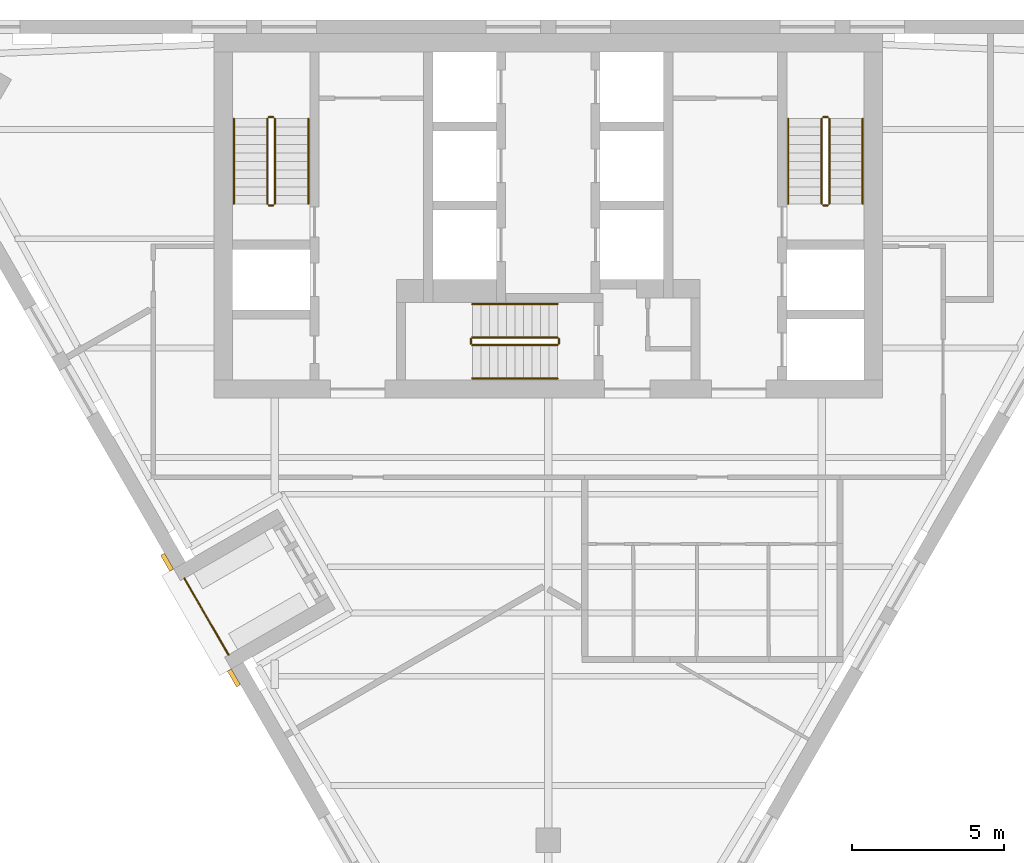
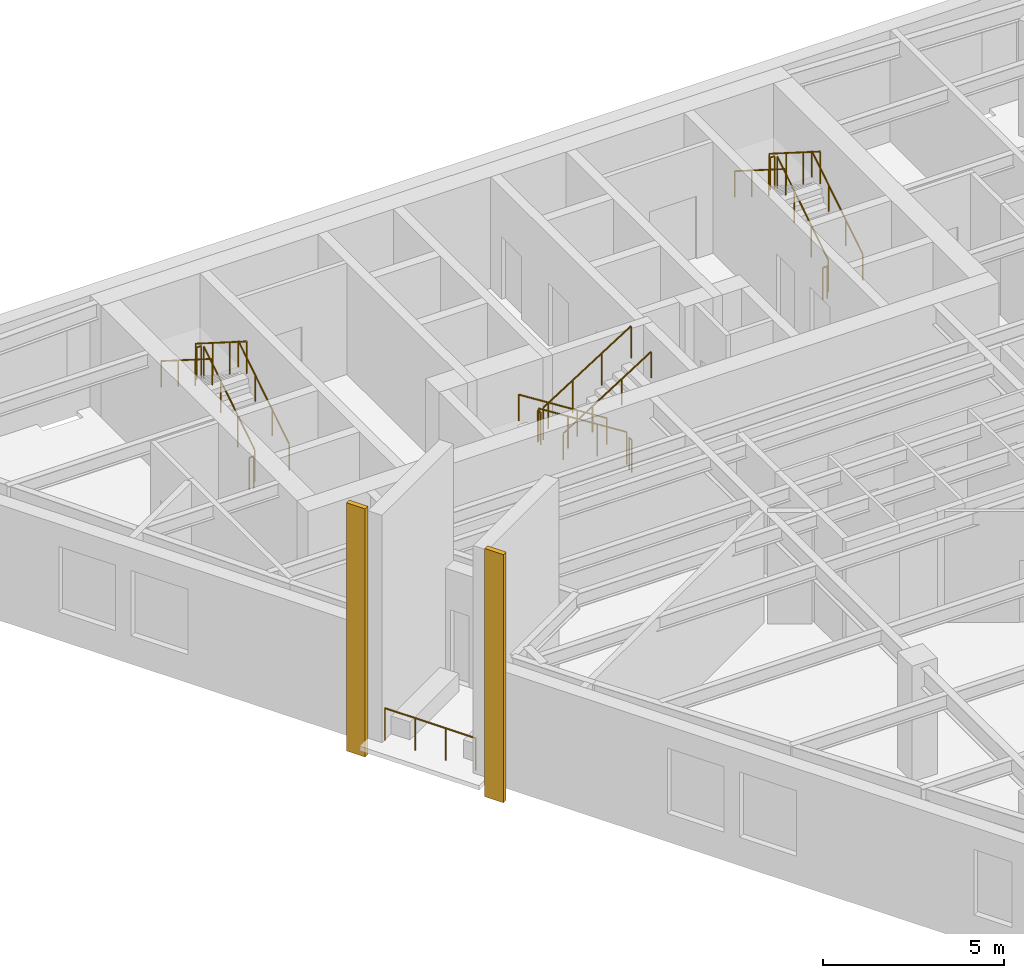
# One storey, part 6 of 6: 19 railings, 2 coverings.
"""IFC4 building model written with IfcOpenShell, lengths in metres."""

from ifc_helpers import new_model, si_unit, direction, frame, origin, origin_2d, place, context, subcontext, project, spatial, polyline, circle, outline, extrude, material, layer, layer_set, type_object, element, save


model = new_model("IFC4")

# Units and contexts
model_context = context("Model", 3, precision=1e-05, world=origin(), true_north=direction((0.0, 1.0)))
body_context = subcontext(model_context, "Body", "Model", "MODEL_VIEW")
ifc_project = project(units=[si_unit("LENGTHUNIT", "METRE"), si_unit("AREAUNIT", "SQUARE_METRE"), si_unit("VOLUMEUNIT", "CUBIC_METRE"), si_unit("PLANEANGLEUNIT", "RADIAN"), si_unit("MASSUNIT", "GRAM", prefix="KILO")], contexts=[model_context])

# Site, building, storey
site_placement = place(None, origin())
site = spatial("IfcSite", under=ifc_project, at=site_placement, CompositionType="ELEMENT")
building_placement = place(site_placement, origin())
building = spatial("IfcBuilding", under=site, at=building_placement, Name="Aloe Facet Convention Tower", CompositionType="ELEMENT")
storey_placement = place(building_placement, frame((0.0, 0.0, 199.699951171875)))
storey = spatial("IfcBuildingStorey", under=building, at=storey_placement, Name="L50", CompositionType="ELEMENT", Elevation=199.699951171875)

# Railings
ifc_material_1 = material(Name="Steel S355 balustrade", Category="steel")
railing_type_1 = type_object("IfcRailingType", Name="CR-RL-GUARD", PredefinedType="GUARDRAIL", material=ifc_material_1)
railing_1_placement = place(storey_placement, frame((71.0, 128.949951171875, 0.17724609375)))
element("IfcRailing", 1, at=railing_1_placement, inside=storey, type_object=railing_type_1, Name="L50 ST1 stair guard 1", PredefinedType="GUARDRAIL", context=body_context, shape_type="SweptSolid", body=[
    extrude(circle(Radius=0.02392578125, at=origin_2d()), frame((0.0, 0.0, 1.076171875), z_axis=(0.0, 0.844908973607, 0.534910110503), x_axis=(-1.0, 0.0, 0.0)), (0.0, 0.0, 1.0), 3.31396484375),
    extrude(circle(Radius=0.02099609375, at=origin_2d()), origin(), (0.0, 0.0, 1.0), 1.052001953125),
    extrude(circle(Radius=0.02099609375, at=origin_2d()), frame((0.0, 0.933349609375, 0.5908203125)), (0.0, 0.0, 1.0), 1.052001953125),
    extrude(circle(Radius=0.02099609375, at=origin_2d()), frame((0.0, 1.86669921875, 1.181884765625)), (0.0, 0.0, 1.0), 1.052001953125),
    extrude(circle(Radius=0.02099609375, at=origin_2d()), frame((0.0, 2.800048828125, 1.772705078125)), (0.0, 0.0, 1.0), 1.052001953125),
])
railing_2_placement = place(storey_placement, frame((70.949951171875, 131.800048828125, 1.949951171875)))
element("IfcRailing", 2, at=railing_2_placement, inside=storey, type_object=railing_type_1, Name="L50 ST1 stair guard 2", PredefinedType="GUARDRAIL", context=body_context, shape_type="SweptSolid", body=[
    extrude(circle(Radius=0.02392578125, at=origin_2d()), frame((0.0, 0.0, 1.076171875), z_axis=(-1.0, 0.0, 0.0), x_axis=(0.0, -1.0, 0.0)), (0.0, 0.0, 1.0), 0.14990234375),
    extrude(circle(Radius=0.02099609375, at=origin_2d()), origin(), (0.0, 0.0, 1.0), 1.052001953125),
    extrude(circle(Radius=0.02099609375, at=origin_2d()), frame((-0.14990234375, 0.0, 0.0)), (0.0, 0.0, 1.0), 1.052001953125),
])
railing_3_placement = place(storey_placement, frame((70.75, 131.75, 2.12744140625)))
element("IfcRailing", 3, at=railing_3_placement, inside=storey, type_object=railing_type_1, Name="L50 ST1 stair guard 3", PredefinedType="GUARDRAIL", context=body_context, shape_type="SweptSolid", body=[
    extrude(circle(Radius=0.02392578125, at=origin_2d()), frame((0.0, 0.0, 1.076171875), z_axis=(0.0, -0.844908973607, 0.534910110503), x_axis=(1.0, 0.0, 0.0)), (0.0, 0.0, 1.0), 3.31396484375),
    extrude(circle(Radius=0.02099609375, at=origin_2d()), origin(), (0.0, 0.0, 1.0), 1.052001953125),
    extrude(circle(Radius=0.02099609375, at=origin_2d()), frame((0.0, -0.933349609375, 0.5908203125)), (0.0, 0.0, 1.0), 1.052001953125),
    extrude(circle(Radius=0.02099609375, at=origin_2d()), frame((0.0, -1.86669921875, 1.181884765625)), (0.0, 0.0, 1.0), 1.052001953125),
    extrude(circle(Radius=0.02099609375, at=origin_2d()), frame((0.0, -2.800048828125, 1.772705078125)), (0.0, 0.0, 1.0), 1.052001953125),
])
railing_4_placement = place(storey_placement, frame((70.949951171875, 128.89990234375, 0.0)))
element("IfcRailing", 4, at=railing_4_placement, inside=storey, type_object=railing_type_1, Name="L50 ST1 stair guard 4", PredefinedType="GUARDRAIL", context=body_context, shape_type="SweptSolid", body=[
    extrude(circle(Radius=0.02392578125, at=origin_2d()), frame((0.0, 0.0, 1.076171875), z_axis=(-1.0, 0.0, 0.0), x_axis=(0.0, -1.0, 0.0)), (0.0, 0.0, 1.0), 0.14990234375),
    extrude(circle(Radius=0.02099609375, at=origin_2d()), origin(), (0.0, 0.0, 1.0), 1.052001953125),
    extrude(circle(Radius=0.02099609375, at=origin_2d()), frame((-0.14990234375, 0.0, 0.0)), (0.0, 0.0, 1.0), 1.052001953125),
])
railing_5_placement = place(storey_placement, frame((89.25, 128.949951171875, 0.17724609375)))
element("IfcRailing", 5, at=railing_5_placement, inside=storey, type_object=railing_type_1, Name="L50 ST2 stair guard 1", PredefinedType="GUARDRAIL", context=body_context, shape_type="SweptSolid", body=[
    extrude(circle(Radius=0.02392578125, at=origin_2d()), frame((0.0, 0.0, 1.076171875), z_axis=(0.0, 0.844908973607, 0.534910110503), x_axis=(-1.0, 0.0, 0.0)), (0.0, 0.0, 1.0), 3.31396484375),
    extrude(circle(Radius=0.02099609375, at=origin_2d()), origin(), (0.0, 0.0, 1.0), 1.052001953125),
    extrude(circle(Radius=0.02099609375, at=origin_2d()), frame((0.0, 0.933349609375, 0.5908203125)), (0.0, 0.0, 1.0), 1.052001953125),
    extrude(circle(Radius=0.02099609375, at=origin_2d()), frame((0.0, 1.86669921875, 1.181884765625)), (0.0, 0.0, 1.0), 1.052001953125),
    extrude(circle(Radius=0.02099609375, at=origin_2d()), frame((0.0, 2.800048828125, 1.772705078125)), (0.0, 0.0, 1.0), 1.052001953125),
])
railing_6_placement = place(storey_placement, frame((89.199951171875, 131.800048828125, 1.949951171875)))
element("IfcRailing", 6, at=railing_6_placement, inside=storey, type_object=railing_type_1, Name="L50 ST2 stair guard 2", PredefinedType="GUARDRAIL", context=body_context, shape_type="SweptSolid", body=[
    extrude(circle(Radius=0.02392578125, at=origin_2d()), frame((0.0, 0.0, 1.076171875), z_axis=(-1.0, 0.0, 0.0), x_axis=(0.0, -1.0, 0.0)), (0.0, 0.0, 1.0), 0.14990234375),
    extrude(circle(Radius=0.02099609375, at=origin_2d()), origin(), (0.0, 0.0, 1.0), 1.052001953125),
    extrude(circle(Radius=0.02099609375, at=origin_2d()), frame((-0.14990234375, 0.0, 0.0)), (0.0, 0.0, 1.0), 1.052001953125),
])
railing_7_placement = place(storey_placement, frame((89.0, 131.75, 2.12744140625)))
element("IfcRailing", 7, at=railing_7_placement, inside=storey, type_object=railing_type_1, Name="L50 ST2 stair guard 3", PredefinedType="GUARDRAIL", context=body_context, shape_type="SweptSolid", body=[
    extrude(circle(Radius=0.02392578125, at=origin_2d()), frame((0.0, 0.0, 1.076171875), z_axis=(0.0, -0.844908973607, 0.534910110503), x_axis=(1.0, 0.0, 0.0)), (0.0, 0.0, 1.0), 3.31396484375),
    extrude(circle(Radius=0.02099609375, at=origin_2d()), origin(), (0.0, 0.0, 1.0), 1.052001953125),
    extrude(circle(Radius=0.02099609375, at=origin_2d()), frame((0.0, -0.933349609375, 0.5908203125)), (0.0, 0.0, 1.0), 1.052001953125),
    extrude(circle(Radius=0.02099609375, at=origin_2d()), frame((0.0, -1.86669921875, 1.181884765625)), (0.0, 0.0, 1.0), 1.052001953125),
    extrude(circle(Radius=0.02099609375, at=origin_2d()), frame((0.0, -2.800048828125, 1.772705078125)), (0.0, 0.0, 1.0), 1.052001953125),
])
railing_8_placement = place(storey_placement, frame((89.199951171875, 128.89990234375, 0.0)))
element("IfcRailing", 8, at=railing_8_placement, inside=storey, type_object=railing_type_1, Name="L50 ST2 stair guard 4", PredefinedType="GUARDRAIL", context=body_context, shape_type="SweptSolid", body=[
    extrude(circle(Radius=0.02392578125, at=origin_2d()), frame((0.0, 0.0, 1.076171875), z_axis=(-1.0, 0.0, 0.0), x_axis=(0.0, -1.0, 0.0)), (0.0, 0.0, 1.0), 0.14990234375),
    extrude(circle(Radius=0.02099609375, at=origin_2d()), origin(), (0.0, 0.0, 1.0), 1.052001953125),
    extrude(circle(Radius=0.02099609375, at=origin_2d()), frame((-0.14990234375, 0.0, 0.0)), (0.0, 0.0, 1.0), 1.052001953125),
])
railing_9_placement = place(storey_placement, frame((80.300048828125, 124.550048828125, 0.17724609375)))
element("IfcRailing", 9, at=railing_9_placement, inside=storey, type_object=railing_type_1, Name="L50 ST3 stair guard 1", PredefinedType="GUARDRAIL", context=body_context, shape_type="SweptSolid", body=[
    extrude(circle(Radius=0.02392578125, at=origin_2d()), frame((0.0, 0.0, 1.076171875), z_axis=(-0.844908973607, 0.0, 0.534910110503), x_axis=(0.0, -1.0, 0.0)), (0.0, 0.0, 1.0), 3.31396484375),
    extrude(circle(Radius=0.02099609375, at=origin_2d()), origin(), (0.0, 0.0, 1.0), 1.052001953125),
    extrude(circle(Radius=0.02099609375, at=origin_2d()), frame((-0.933349609375, 0.0, 0.5908203125)), (0.0, 0.0, 1.0), 1.052001953125),
    extrude(circle(Radius=0.02099609375, at=origin_2d()), frame((-1.86669921875, 0.0, 1.181884765625)), (0.0, 0.0, 1.0), 1.052001953125),
    extrude(circle(Radius=0.02099609375, at=origin_2d()), frame((-2.800048828125, 0.0, 1.772705078125)), (0.0, 0.0, 1.0), 1.052001953125),
])
railing_10_placement = place(storey_placement, frame((77.449951171875, 124.5, 1.949951171875)))
element("IfcRailing", 10, at=railing_10_placement, inside=storey, type_object=railing_type_1, Name="L50 ST3 stair guard 2", PredefinedType="GUARDRAIL", context=body_context, shape_type="SweptSolid", body=[
    extrude(circle(Radius=0.02392578125, at=origin_2d()), frame((0.0, 0.0, 1.076171875), z_axis=(0.0, -1.0, 0.0), x_axis=(1.0, 0.0, 0.0)), (0.0, 0.0, 1.0), 0.14990234375),
    extrude(circle(Radius=0.02099609375, at=origin_2d()), origin(), (0.0, 0.0, 1.0), 1.052001953125),
    extrude(circle(Radius=0.02099609375, at=origin_2d()), frame((0.0, -0.14990234375, 0.0)), (0.0, 0.0, 1.0), 1.052001953125),
])
railing_11_placement = place(storey_placement, frame((77.5, 124.300048828125, 2.12744140625)))
element("IfcRailing", 11, at=railing_11_placement, inside=storey, type_object=railing_type_1, Name="L50 ST3 stair guard 3", PredefinedType="GUARDRAIL", context=body_context, shape_type="SweptSolid", body=[
    extrude(circle(Radius=0.02392578125, at=origin_2d()), frame((0.0, 0.0, 1.076171875), z_axis=(0.844908973607, 0.0, 0.534910110503), x_axis=(0.0, 1.0, 0.0)), (0.0, 0.0, 1.0), 3.31396484375),
    extrude(circle(Radius=0.02099609375, at=origin_2d()), origin(), (0.0, 0.0, 1.0), 1.052001953125),
    extrude(circle(Radius=0.02099609375, at=origin_2d()), frame((0.933349609375, 0.0, 0.5908203125)), (0.0, 0.0, 1.0), 1.052001953125),
    extrude(circle(Radius=0.02099609375, at=origin_2d()), frame((1.86669921875, 0.0, 1.181884765625)), (0.0, 0.0, 1.0), 1.052001953125),
    extrude(circle(Radius=0.02099609375, at=origin_2d()), frame((2.800048828125, 0.0, 1.772705078125)), (0.0, 0.0, 1.0), 1.052001953125),
])
railing_12_placement = place(storey_placement, frame((80.35009765625, 124.5, 0.0)))
element("IfcRailing", 12, at=railing_12_placement, inside=storey, type_object=railing_type_1, Name="L50 ST3 stair guard 4", PredefinedType="GUARDRAIL", context=body_context, shape_type="SweptSolid", body=[
    extrude(circle(Radius=0.02392578125, at=origin_2d()), frame((0.0, 0.0, 1.076171875), z_axis=(0.0, -1.0, 0.0), x_axis=(1.0, 0.0, 0.0)), (0.0, 0.0, 1.0), 0.14990234375),
    extrude(circle(Radius=0.02099609375, at=origin_2d()), origin(), (0.0, 0.0, 1.0), 1.052001953125),
    extrude(circle(Radius=0.02099609375, at=origin_2d()), frame((0.0, -0.14990234375, 0.0)), (0.0, 0.0, 1.0), 1.052001953125),
])
ifc_material_2 = material(Name="Steel S355 handrail", Category="steel")
railing_type_2 = type_object("IfcRailingType", Name="CR-RL-HAND", PredefinedType="HANDRAIL", material=ifc_material_2)
railing_13_placement = place(storey_placement, frame((72.10009765625, 128.949951171875, 0.17724609375)))
element("IfcRailing", 13, at=railing_13_placement, inside=storey, type_object=railing_type_2, Name="L50 ST1 stair handrail 1", PredefinedType="HANDRAIL", context=body_context, shape_type="SweptSolid", body=[
    extrude(circle(Radius=0.02392578125, at=origin_2d()), frame((0.0, 0.0, 0.8759765625), z_axis=(0.0, 0.844908973607, 0.534910110503), x_axis=(-1.0, 0.0, 0.0)), (0.0, 0.0, 1.0), 3.31396484375),
    extrude(circle(Radius=0.02099609375, at=origin_2d()), origin(), (0.0, 0.0, 1.0), 0.851806640625),
    extrude(circle(Radius=0.02099609375, at=origin_2d()), frame((0.0, 0.933349609375, 0.5908203125)), (0.0, 0.0, 1.0), 0.851806640625),
    extrude(circle(Radius=0.02099609375, at=origin_2d()), frame((0.0, 1.86669921875, 1.181884765625)), (0.0, 0.0, 1.0), 0.851806640625),
    extrude(circle(Radius=0.02099609375, at=origin_2d()), frame((0.0, 2.800048828125, 1.772705078125)), (0.0, 0.0, 1.0), 0.851806640625),
])
railing_14_placement = place(storey_placement, frame((69.64990234375, 131.75, 2.12744140625)))
element("IfcRailing", 14, at=railing_14_placement, inside=storey, type_object=railing_type_2, Name="L50 ST1 stair handrail 2", PredefinedType="HANDRAIL", context=body_context, shape_type="SweptSolid", body=[
    extrude(circle(Radius=0.02392578125, at=origin_2d()), frame((0.0, 0.0, 0.8759765625), z_axis=(0.0, -0.844908973607, 0.534910110503), x_axis=(1.0, 0.0, 0.0)), (0.0, 0.0, 1.0), 3.31396484375),
    extrude(circle(Radius=0.02099609375, at=origin_2d()), origin(), (0.0, 0.0, 1.0), 0.851806640625),
    extrude(circle(Radius=0.02099609375, at=origin_2d()), frame((0.0, -0.933349609375, 0.5908203125)), (0.0, 0.0, 1.0), 0.851806640625),
    extrude(circle(Radius=0.02099609375, at=origin_2d()), frame((0.0, -1.86669921875, 1.181884765625)), (0.0, 0.0, 1.0), 0.851806640625),
    extrude(circle(Radius=0.02099609375, at=origin_2d()), frame((0.0, -2.800048828125, 1.772705078125)), (0.0, 0.0, 1.0), 0.851806640625),
])
railing_15_placement = place(storey_placement, frame((90.35009765625, 128.949951171875, 0.17724609375)))
element("IfcRailing", 15, at=railing_15_placement, inside=storey, type_object=railing_type_2, Name="L50 ST2 stair handrail 1", PredefinedType="HANDRAIL", context=body_context, shape_type="SweptSolid", body=[
    extrude(circle(Radius=0.02392578125, at=origin_2d()), frame((0.0, 0.0, 0.8759765625), z_axis=(0.0, 0.844908973607, 0.534910110503), x_axis=(-1.0, 0.0, 0.0)), (0.0, 0.0, 1.0), 3.31396484375),
    extrude(circle(Radius=0.02099609375, at=origin_2d()), origin(), (0.0, 0.0, 1.0), 0.851806640625),
    extrude(circle(Radius=0.02099609375, at=origin_2d()), frame((0.0, 0.933349609375, 0.5908203125)), (0.0, 0.0, 1.0), 0.851806640625),
    extrude(circle(Radius=0.02099609375, at=origin_2d()), frame((0.0, 1.86669921875, 1.181884765625)), (0.0, 0.0, 1.0), 0.851806640625),
    extrude(circle(Radius=0.02099609375, at=origin_2d()), frame((0.0, 2.800048828125, 1.772705078125)), (0.0, 0.0, 1.0), 0.851806640625),
])
railing_16_placement = place(storey_placement, frame((87.89990234375, 131.75, 2.12744140625)))
element("IfcRailing", 16, at=railing_16_placement, inside=storey, type_object=railing_type_2, Name="L50 ST2 stair handrail 2", PredefinedType="HANDRAIL", context=body_context, shape_type="SweptSolid", body=[
    extrude(circle(Radius=0.02392578125, at=origin_2d()), frame((0.0, 0.0, 0.8759765625), z_axis=(0.0, -0.844908973607, 0.534910110503), x_axis=(1.0, 0.0, 0.0)), (0.0, 0.0, 1.0), 3.31396484375),
    extrude(circle(Radius=0.02099609375, at=origin_2d()), origin(), (0.0, 0.0, 1.0), 0.851806640625),
    extrude(circle(Radius=0.02099609375, at=origin_2d()), frame((0.0, -0.933349609375, 0.5908203125)), (0.0, 0.0, 1.0), 0.851806640625),
    extrude(circle(Radius=0.02099609375, at=origin_2d()), frame((0.0, -1.86669921875, 1.181884765625)), (0.0, 0.0, 1.0), 0.851806640625),
    extrude(circle(Radius=0.02099609375, at=origin_2d()), frame((0.0, -2.800048828125, 1.772705078125)), (0.0, 0.0, 1.0), 0.851806640625),
])
railing_17_placement = place(storey_placement, frame((80.300048828125, 125.64990234375, 0.17724609375)))
element("IfcRailing", 17, at=railing_17_placement, inside=storey, type_object=railing_type_2, Name="L50 ST3 stair handrail 1", PredefinedType="HANDRAIL", context=body_context, shape_type="SweptSolid", body=[
    extrude(circle(Radius=0.02392578125, at=origin_2d()), frame((0.0, 0.0, 0.8759765625), z_axis=(-0.844908973607, 0.0, 0.534910110503), x_axis=(0.0, -1.0, 0.0)), (0.0, 0.0, 1.0), 3.31396484375),
    extrude(circle(Radius=0.02099609375, at=origin_2d()), origin(), (0.0, 0.0, 1.0), 0.851806640625),
    extrude(circle(Radius=0.02099609375, at=origin_2d()), frame((-0.933349609375, 0.0, 0.5908203125)), (0.0, 0.0, 1.0), 0.851806640625),
    extrude(circle(Radius=0.02099609375, at=origin_2d()), frame((-1.86669921875, 0.0, 1.181884765625)), (0.0, 0.0, 1.0), 0.851806640625),
    extrude(circle(Radius=0.02099609375, at=origin_2d()), frame((-2.800048828125, 0.0, 1.772705078125)), (0.0, 0.0, 1.0), 0.851806640625),
])
railing_18_placement = place(storey_placement, frame((77.5, 123.199951171875, 2.12744140625)))
element("IfcRailing", 18, at=railing_18_placement, inside=storey, type_object=railing_type_2, Name="L50 ST3 stair handrail 2", PredefinedType="HANDRAIL", context=body_context, shape_type="SweptSolid", body=[
    extrude(circle(Radius=0.02392578125, at=origin_2d()), frame((0.0, 0.0, 0.8759765625), z_axis=(0.844908973607, 0.0, 0.534910110503), x_axis=(0.0, 1.0, 0.0)), (0.0, 0.0, 1.0), 3.31396484375),
    extrude(circle(Radius=0.02099609375, at=origin_2d()), origin(), (0.0, 0.0, 1.0), 0.851806640625),
    extrude(circle(Radius=0.02099609375, at=origin_2d()), frame((0.933349609375, 0.0, 0.5908203125)), (0.0, 0.0, 1.0), 0.851806640625),
    extrude(circle(Radius=0.02099609375, at=origin_2d()), frame((1.86669921875, 0.0, 1.181884765625)), (0.0, 0.0, 1.0), 0.851806640625),
    extrude(circle(Radius=0.02099609375, at=origin_2d()), frame((2.800048828125, 0.0, 1.772705078125)), (0.0, 0.0, 1.0), 0.851806640625),
])

# Coverings
ifc_material_3 = material(Name="Bronze oxide fascia sheet")
ifc_layer = layer(ifc_material_3, 0.14990234375)
ifc_layer_set = layer_set([ifc_layer], Name="EV-FASCIA-TERR")
covering_type = type_object("IfcCoveringType", Name="EV-FASCIA-TERR", PredefinedType="CLADDING", material=ifc_layer_set)
covering_1_placement = place(storey_placement, frame((0.0, 0.0, -0.550048828125)))
element("IfcCovering", 19, at=covering_1_placement, inside=storey, type_object=covering_type, Name="Terrace frame T11 1", PredefinedType="CLADDING", context=body_context, shape_type="SweptSolid", body=[
    extrude(outline(polyline([(67.23779296875, 117.375244140625), (67.537841796875, 116.855712890625), (67.667724609375, 116.9306640625), (67.36767578125, 117.450439453125), (67.23779296875, 117.375244140625)])), origin(), (0.0, 0.0, 1.0), 8.35009765625),
])
covering_2_placement = place(storey_placement, frame((0.0, 0.0, -0.550048828125)))
element("IfcCovering", 20, at=covering_2_placement, inside=storey, type_object=covering_type, Name="Terrace frame T11 2", PredefinedType="CLADDING", context=body_context, shape_type="SweptSolid", body=[
    extrude(outline(polyline([(69.437744140625, 113.564697265625), (69.73779296875, 113.045166015625), (69.86767578125, 113.1201171875), (69.567626953125, 113.639892578125), (69.437744140625, 113.564697265625)])), origin(), (0.0, 0.0, 1.0), 8.35009765625),
])

# Railing
ifc_material_4 = material(Name="Steel S355, bronze oxide finish", Category="steel")
railing_type_3 = type_object("IfcRailingType", Name="EV-GUARD-TERR", PredefinedType="GUARDRAIL", material=ifc_material_4)
railing_19_placement = place(storey_placement, frame((68.022705078125, 116.615966796875, 0.0)))
element("IfcRailing", 21, at=railing_19_placement, inside=storey, type_object=railing_type_3, Name="GUARD T11", PredefinedType="GUARDRAIL", context=body_context, shape_type="SweptSolid", body=[
    extrude(circle(Radius=0.02392578125, at=origin_2d()), frame((0.0, 0.0, 1.076171875), z_axis=(0.499987231761, -0.866032775405, 0.0), x_axis=(0.866032775405, 0.499987231761, 0.0)), (0.0, 0.0, 1.0), 2.89990234375),
    extrude(circle(Radius=0.02099609375, at=origin_2d()), origin(), (0.0, 0.0, 1.0), 1.052001953125),
    extrude(circle(Radius=0.02099609375, at=origin_2d()), frame((0.4833984375, -0.837158203125, 0.0)), (0.0, 0.0, 1.0), 1.052001953125),
    extrude(circle(Radius=0.02099609375, at=origin_2d()), frame((0.966552734375, -1.67431640625, 0.0)), (0.0, 0.0, 1.0), 1.052001953125),
    extrude(circle(Radius=0.02099609375, at=origin_2d()), frame((1.449951171875, -2.511474609375, 0.0)), (0.0, 0.0, 1.0), 1.052001953125),
])

save(model, "model.ifc")
